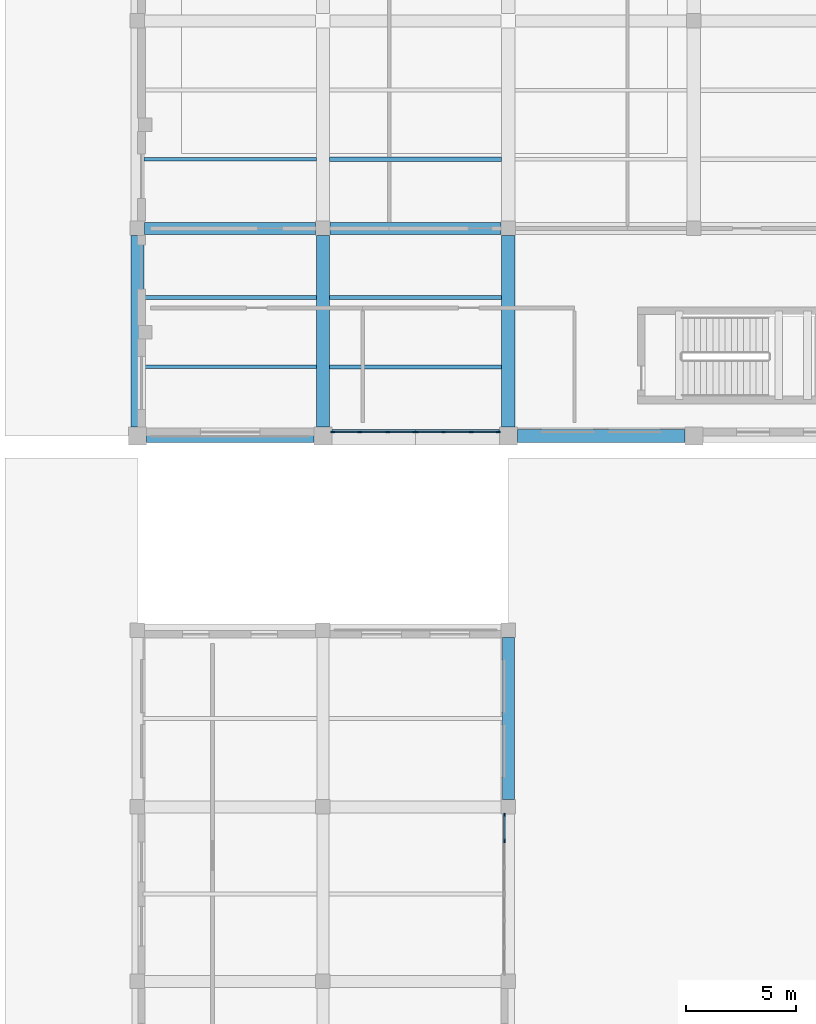
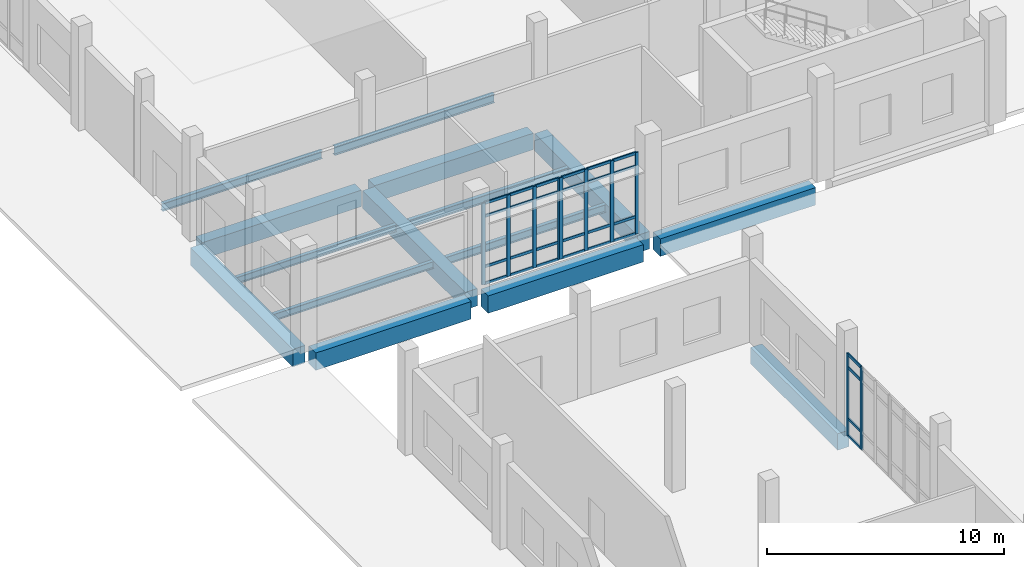
# One storey, part 19 of 79: 38 members, 15 beams, 3 elements without a shape of their own.
"""IFC4 building model written with IfcOpenShell, lengths in metres."""

from ifc_helpers import new_model, si_unit, direction, frame, origin, origin_2d, place, context, subcontext, project, spatial, rectangle, i_section, extrude, material, layer, layer_set, material_profile, profile_set, type_object, element, aggregate, save


model = new_model("IFC4")

# Units and contexts
model_context = context("Model", 3, precision=1e-05, world=origin(), true_north=direction((0.0, 1.0)))
body_context = subcontext(model_context, "Body", "Model", "MODEL_VIEW")
ifc_project = project(units=[si_unit("LENGTHUNIT", "METRE"), si_unit("AREAUNIT", "SQUARE_METRE"), si_unit("VOLUMEUNIT", "CUBIC_METRE"), si_unit("PLANEANGLEUNIT", "RADIAN"), si_unit("MASSUNIT", "GRAM", prefix="KILO")], contexts=[model_context])

# Site, building, storey
site_placement = place(None, origin())
site = spatial("IfcSite", under=ifc_project, at=site_placement, CompositionType="ELEMENT")
building_placement = place(site_placement, origin())
building = spatial("IfcBuilding", under=site, at=building_placement, Name="Kelarvand Opera House", CompositionType="ELEMENT")
storey_placement = place(building_placement, origin())
storey = spatial("IfcBuildingStorey", under=building, at=storey_placement, Name="L00", CompositionType="ELEMENT", Elevation=0.0)

# Curtain wall, members
ifc_material_1 = material(Name="Thermally broken aluminium and low-E glazing", Category="aluminium")
ifc_layer_1 = layer(ifc_material_1, 0.179931640625, Name="Thermally broken aluminium and low-E glazing", Category="aluminium")
ifc_layer_set_1 = layer_set([ifc_layer_1], Name="Thermally broken aluminium and low-E glazing")
curtain_wall_type_1 = type_object("IfcCurtainWallType", Name="Unitised Low-E Curtain Wall 3776x4200 Mod 1350 CWF-14", PredefinedType="USERDEFINED", material=ifc_layer_set_1)
curtain_wall_1_placement = place(storey_placement, origin())
curtain_wall_1 = element("IfcCurtainWall", 1, at=curtain_wall_1_placement, inside=storey, type_object=curtain_wall_type_1, Name="V3 L00 Curtain Wall CWF-14 (45)", ObjectType="UNITISED CURTAIN WALL", PredefinedType="USERDEFINED")
ifc_material_2 = material(Name="Thermally broken anodised aluminium", Category="aluminium")
ifc_material_profile_1 = material_profile(ifc_material_2, rectangle(XDim=0.06494140625, YDim=0.179931640625, at=origin_2d()), Name="ALU MULLION 65x180", Category="aluminium")
ifc_profile_set_1 = profile_set([ifc_material_profile_1], Name="Thermally broken anodised aluminium")
member_type_1 = type_object("IfcMemberType", Name="Curtain Wall Mullion 65x180 Aluminium", PredefinedType="MULLION", material=ifc_profile_set_1)
member_1_placement = place(storey_placement, frame((25.347412109375, 87.3798828125, 0.0), z_axis=(0.0, 0.0, 1.0), x_axis=(0.0, -1.0, 0.0)))
member_1 = element("IfcMember", 2, at=member_1_placement, type_object=member_type_1, Name="CWF-14 mullion 1", PredefinedType="MULLION", context=body_context, shape_type="SweptSolid", body=[
    extrude(rectangle(XDim=0.06494140625, YDim=0.179931640625, at=origin_2d()), origin(), (0.0, 0.0, 1.0), 4.199951171875),
])
member_2_placement = place(storey_placement, frame((24.121337890625, 87.3798828125, 0.0), z_axis=(0.0, 0.0, 1.0), x_axis=(0.0, -1.0, 0.0)))
member_2 = element("IfcMember", 3, at=member_2_placement, type_object=member_type_1, Name="CWF-14 mullion 2", PredefinedType="MULLION", context=body_context, shape_type="SweptSolid", body=[
    extrude(rectangle(XDim=0.06494140625, YDim=0.179931640625, at=origin_2d()), origin(), (0.0, 0.0, 1.0), 4.199951171875),
])
member_3_placement = place(storey_placement, frame((22.862548828125, 87.3798828125, 0.0), z_axis=(0.0, 0.0, 1.0), x_axis=(0.0, -1.0, 0.0)))
member_3 = element("IfcMember", 4, at=member_3_placement, type_object=member_type_1, Name="CWF-14 mullion 3", PredefinedType="MULLION", context=body_context, shape_type="SweptSolid", body=[
    extrude(rectangle(XDim=0.06494140625, YDim=0.179931640625, at=origin_2d()), origin(), (0.0, 0.0, 1.0), 4.199951171875),
])
member_4_placement = place(storey_placement, frame((21.636474609375, 87.3798828125, 0.0), z_axis=(0.0, 0.0, 1.0), x_axis=(0.0, -1.0, 0.0)))
member_4 = element("IfcMember", 5, at=member_4_placement, type_object=member_type_1, Name="CWF-14 mullion 4", PredefinedType="MULLION", context=body_context, shape_type="SweptSolid", body=[
    extrude(rectangle(XDim=0.06494140625, YDim=0.179931640625, at=origin_2d()), origin(), (0.0, 0.0, 1.0), 4.199951171875),
])

curtain_wall_2_placement = place(storey_placement, origin())
curtain_wall_2 = element("IfcCurtainWall", 6, at=curtain_wall_2_placement, inside=storey, type_object=curtain_wall_type_1, Name="V3 L00 Curtain Wall CWF-14 (46)", ObjectType="UNITISED CURTAIN WALL", PredefinedType="USERDEFINED")
member_5_placement = place(storey_placement, frame((21.5673828125, 87.3798828125, 0.0), z_axis=(0.0, 0.0, 1.0), x_axis=(0.0, -1.0, 0.0)))
member_5 = element("IfcMember", 7, at=member_5_placement, type_object=member_type_1, Name="CWF-14 mullion 1", PredefinedType="MULLION", context=body_context, shape_type="SweptSolid", body=[
    extrude(rectangle(XDim=0.06494140625, YDim=0.179931640625, at=origin_2d()), origin(), (0.0, 0.0, 1.0), 4.199951171875),
])
member_6_placement = place(storey_placement, frame((20.340087890625, 87.3798828125, 0.0), z_axis=(0.0, 0.0, 1.0), x_axis=(0.0, -1.0, 0.0)))
member_6 = element("IfcMember", 8, at=member_6_placement, type_object=member_type_1, Name="CWF-14 mullion 2", PredefinedType="MULLION", context=body_context, shape_type="SweptSolid", body=[
    extrude(rectangle(XDim=0.06494140625, YDim=0.179931640625, at=origin_2d()), origin(), (0.0, 0.0, 1.0), 4.199951171875),
])
member_7_placement = place(storey_placement, frame((19.080078125, 87.3798828125, 0.0), z_axis=(0.0, 0.0, 1.0), x_axis=(0.0, -1.0, 0.0)))
member_7 = element("IfcMember", 9, at=member_7_placement, type_object=member_type_1, Name="CWF-14 mullion 3", PredefinedType="MULLION", context=body_context, shape_type="SweptSolid", body=[
    extrude(rectangle(XDim=0.06494140625, YDim=0.179931640625, at=origin_2d()), origin(), (0.0, 0.0, 1.0), 4.199951171875),
])
member_8_placement = place(storey_placement, frame((17.8525390625, 87.3798828125, 0.0), z_axis=(0.0, 0.0, 1.0), x_axis=(0.0, -1.0, 0.0)))
member_8 = element("IfcMember", 10, at=member_8_placement, type_object=member_type_1, Name="CWF-14 mullion 4", PredefinedType="MULLION", context=body_context, shape_type="SweptSolid", body=[
    extrude(rectangle(XDim=0.06494140625, YDim=0.179931640625, at=origin_2d()), origin(), (0.0, 0.0, 1.0), 4.199951171875),
])

ifc_layer_2 = layer(ifc_material_1, 0.179931640625, Name="Thermally broken aluminium and low-E glazing", Category="aluminium")
ifc_layer_set_2 = layer_set([ifc_layer_2], Name="Thermally broken aluminium and low-E glazing")
curtain_wall_type_2 = type_object("IfcCurtainWallType", Name="Unitised Low-E Curtain Wall 3611x4250 Mod 1350 CWF-25", PredefinedType="USERDEFINED", material=ifc_layer_set_2)
curtain_wall_3_placement = place(storey_placement, origin())
curtain_wall_3 = element("IfcCurtainWall", 11, at=curtain_wall_3_placement, inside=storey, type_object=curtain_wall_type_2, Name="V4 L00 Curtain Wall CWF-25 (117)", ObjectType="UNITISED CURTAIN WALL", PredefinedType="USERDEFINED")
member_9_placement = place(storey_placement, frame((25.6201171875, 70.032470703125, 0.0), z_axis=(0.0, 0.0, 1.0), x_axis=(1.0, 0.0, 0.0)))
member_9 = element("IfcMember", 12, at=member_9_placement, type_object=member_type_1, Name="CWF-25 mullion 1", PredefinedType="MULLION", context=body_context, shape_type="SweptSolid", body=[
    extrude(rectangle(XDim=0.06494140625, YDim=0.179931640625, at=origin_2d()), origin(), (0.0, 0.0, 1.0), 4.25),
])
member_10_placement = place(storey_placement, frame((25.6201171875, 68.861328125, 0.0), z_axis=(0.0, 0.0, 1.0), x_axis=(1.0, 0.0, 0.0)))
member_10 = element("IfcMember", 13, at=member_10_placement, type_object=member_type_1, Name="CWF-25 mullion 2", PredefinedType="MULLION", context=body_context, shape_type="SweptSolid", body=[
    extrude(rectangle(XDim=0.06494140625, YDim=0.179931640625, at=origin_2d()), origin(), (0.0, 0.0, 1.0), 4.25),
])

# Member
ifc_material_profile_2 = material_profile(ifc_material_2, rectangle(XDim=0.06494140625, YDim=0.139892578125, at=origin_2d()), Name="ALU TRANSOM 65x140", Category="aluminium")
ifc_profile_set_2 = profile_set([ifc_material_profile_2], Name="Thermally broken anodised aluminium")
member_type_2 = type_object("IfcMemberType", Name="Curtain Wall Transom 65x140 Aluminium", PredefinedType="USERDEFINED", material=ifc_profile_set_2)
member_11_placement = place(storey_placement, frame((25.31494140625, 87.3798828125, 0.032470703125), z_axis=(-1.0, 0.0, 0.0), x_axis=(0.0, -1.0, 0.0)))
member_11 = element("IfcMember", 14, at=member_11_placement, type_object=member_type_2, Name="CWF-14 transom 1.1", ObjectType="TRANSOM", PredefinedType="USERDEFINED", context=body_context, shape_type="SweptSolid", body=[
    extrude(rectangle(XDim=0.06494140625, YDim=0.139892578125, at=origin_2d()), origin(), (0.0, 0.0, 1.0), 1.1611328125),
])

member_12_placement = place(storey_placement, frame((25.31494140625, 87.3798828125, 0.89990234375), z_axis=(-1.0, 0.0, 0.0), x_axis=(0.0, -1.0, 0.0)))
member_12 = element("IfcMember", 15, at=member_12_placement, type_object=member_type_2, Name="CWF-14 transom 1.2", ObjectType="TRANSOM", PredefinedType="USERDEFINED", context=body_context, shape_type="SweptSolid", body=[
    extrude(rectangle(XDim=0.06494140625, YDim=0.139892578125, at=origin_2d()), origin(), (0.0, 0.0, 1.0), 1.1611328125),
])

member_13_placement = place(storey_placement, frame((25.31494140625, 87.3798828125, 3.5), z_axis=(-1.0, 0.0, 0.0), x_axis=(0.0, -1.0, 0.0)))
member_13 = element("IfcMember", 16, at=member_13_placement, type_object=member_type_2, Name="CWF-14 transom 1.3", ObjectType="TRANSOM", PredefinedType="USERDEFINED", context=body_context, shape_type="SweptSolid", body=[
    extrude(rectangle(XDim=0.06494140625, YDim=0.139892578125, at=origin_2d()), origin(), (0.0, 0.0, 1.0), 1.1611328125),
])

member_14_placement = place(storey_placement, frame((25.31494140625, 87.3798828125, 4.16748046875), z_axis=(-1.0, 0.0, 0.0), x_axis=(0.0, -1.0, 0.0)))
member_14 = element("IfcMember", 17, at=member_14_placement, type_object=member_type_2, Name="CWF-14 transom 1.4", ObjectType="TRANSOM", PredefinedType="USERDEFINED", context=body_context, shape_type="SweptSolid", body=[
    extrude(rectangle(XDim=0.06494140625, YDim=0.139892578125, at=origin_2d()), origin(), (0.0, 0.0, 1.0), 1.1611328125),
])

member_15_placement = place(storey_placement, frame((24.0888671875, 87.3798828125, 0.032470703125), z_axis=(-1.0, 0.0, 0.0), x_axis=(0.0, -1.0, 0.0)))
member_15 = element("IfcMember", 18, at=member_15_placement, type_object=member_type_2, Name="CWF-14 transom 2.1", ObjectType="TRANSOM", PredefinedType="USERDEFINED", context=body_context, shape_type="SweptSolid", body=[
    extrude(rectangle(XDim=0.06494140625, YDim=0.139892578125, at=origin_2d()), origin(), (0.0, 0.0, 1.0), 1.193603515625),
])

member_16_placement = place(storey_placement, frame((24.0888671875, 87.3798828125, 0.89990234375), z_axis=(-1.0, 0.0, 0.0), x_axis=(0.0, -1.0, 0.0)))
member_16 = element("IfcMember", 19, at=member_16_placement, type_object=member_type_2, Name="CWF-14 transom 2.2", ObjectType="TRANSOM", PredefinedType="USERDEFINED", context=body_context, shape_type="SweptSolid", body=[
    extrude(rectangle(XDim=0.06494140625, YDim=0.139892578125, at=origin_2d()), origin(), (0.0, 0.0, 1.0), 1.193603515625),
])

member_17_placement = place(storey_placement, frame((24.0888671875, 87.3798828125, 3.5), z_axis=(-1.0, 0.0, 0.0), x_axis=(0.0, -1.0, 0.0)))
member_17 = element("IfcMember", 20, at=member_17_placement, type_object=member_type_2, Name="CWF-14 transom 2.3", ObjectType="TRANSOM", PredefinedType="USERDEFINED", context=body_context, shape_type="SweptSolid", body=[
    extrude(rectangle(XDim=0.06494140625, YDim=0.139892578125, at=origin_2d()), origin(), (0.0, 0.0, 1.0), 1.193603515625),
])

member_18_placement = place(storey_placement, frame((24.0888671875, 87.3798828125, 4.16748046875), z_axis=(-1.0, 0.0, 0.0), x_axis=(0.0, -1.0, 0.0)))
member_18 = element("IfcMember", 21, at=member_18_placement, type_object=member_type_2, Name="CWF-14 transom 2.4", ObjectType="TRANSOM", PredefinedType="USERDEFINED", context=body_context, shape_type="SweptSolid", body=[
    extrude(rectangle(XDim=0.06494140625, YDim=0.139892578125, at=origin_2d()), origin(), (0.0, 0.0, 1.0), 1.193603515625),
])

member_19_placement = place(storey_placement, frame((22.830078125, 87.3798828125, 0.032470703125), z_axis=(-1.0, 0.0, 0.0), x_axis=(0.0, -1.0, 0.0)))
member_19 = element("IfcMember", 22, at=member_19_placement, type_object=member_type_2, Name="CWF-14 transom 3.1", ObjectType="TRANSOM", PredefinedType="USERDEFINED", context=body_context, shape_type="SweptSolid", body=[
    extrude(rectangle(XDim=0.06494140625, YDim=0.139892578125, at=origin_2d()), origin(), (0.0, 0.0, 1.0), 1.1611328125),
])

member_20_placement = place(storey_placement, frame((22.830078125, 87.3798828125, 0.89990234375), z_axis=(-1.0, 0.0, 0.0), x_axis=(0.0, -1.0, 0.0)))
member_20 = element("IfcMember", 23, at=member_20_placement, type_object=member_type_2, Name="CWF-14 transom 3.2", ObjectType="TRANSOM", PredefinedType="USERDEFINED", context=body_context, shape_type="SweptSolid", body=[
    extrude(rectangle(XDim=0.06494140625, YDim=0.139892578125, at=origin_2d()), origin(), (0.0, 0.0, 1.0), 1.1611328125),
])

member_21_placement = place(storey_placement, frame((22.830078125, 87.3798828125, 3.5), z_axis=(-1.0, 0.0, 0.0), x_axis=(0.0, -1.0, 0.0)))
member_21 = element("IfcMember", 24, at=member_21_placement, type_object=member_type_2, Name="CWF-14 transom 3.3", ObjectType="TRANSOM", PredefinedType="USERDEFINED", context=body_context, shape_type="SweptSolid", body=[
    extrude(rectangle(XDim=0.06494140625, YDim=0.139892578125, at=origin_2d()), origin(), (0.0, 0.0, 1.0), 1.1611328125),
])

member_22_placement = place(storey_placement, frame((22.830078125, 87.3798828125, 4.16748046875), z_axis=(-1.0, 0.0, 0.0), x_axis=(0.0, -1.0, 0.0)))
member_22 = element("IfcMember", 25, at=member_22_placement, type_object=member_type_2, Name="CWF-14 transom 3.4", ObjectType="TRANSOM", PredefinedType="USERDEFINED", context=body_context, shape_type="SweptSolid", body=[
    extrude(rectangle(XDim=0.06494140625, YDim=0.139892578125, at=origin_2d()), origin(), (0.0, 0.0, 1.0), 1.1611328125),
])

aggregate(curtain_wall_1, [member_1, member_2, member_3, member_4, member_11, member_12, member_13, member_14, member_15, member_16, member_17, member_18, member_19, member_20, member_21, member_22])

member_23_placement = place(storey_placement, frame((21.534912109375, 87.3798828125, 0.032470703125), z_axis=(-1.0, 0.0, 0.0), x_axis=(0.0, -1.0, 0.0)))
member_23 = element("IfcMember", 26, at=member_23_placement, type_object=member_type_2, Name="CWF-14 transom 1.1", ObjectType="TRANSOM", PredefinedType="USERDEFINED", context=body_context, shape_type="SweptSolid", body=[
    extrude(rectangle(XDim=0.06494140625, YDim=0.139892578125, at=origin_2d()), origin(), (0.0, 0.0, 1.0), 1.162353515625),
])

member_24_placement = place(storey_placement, frame((21.534912109375, 87.3798828125, 0.89990234375), z_axis=(-1.0, 0.0, 0.0), x_axis=(0.0, -1.0, 0.0)))
member_24 = element("IfcMember", 27, at=member_24_placement, type_object=member_type_2, Name="CWF-14 transom 1.2", ObjectType="TRANSOM", PredefinedType="USERDEFINED", context=body_context, shape_type="SweptSolid", body=[
    extrude(rectangle(XDim=0.06494140625, YDim=0.139892578125, at=origin_2d()), origin(), (0.0, 0.0, 1.0), 1.162353515625),
])

member_25_placement = place(storey_placement, frame((21.534912109375, 87.3798828125, 3.5), z_axis=(-1.0, 0.0, 0.0), x_axis=(0.0, -1.0, 0.0)))
member_25 = element("IfcMember", 28, at=member_25_placement, type_object=member_type_2, Name="CWF-14 transom 1.3", ObjectType="TRANSOM", PredefinedType="USERDEFINED", context=body_context, shape_type="SweptSolid", body=[
    extrude(rectangle(XDim=0.06494140625, YDim=0.139892578125, at=origin_2d()), origin(), (0.0, 0.0, 1.0), 1.162353515625),
])

member_26_placement = place(storey_placement, frame((21.534912109375, 87.3798828125, 4.16748046875), z_axis=(-1.0, 0.0, 0.0), x_axis=(0.0, -1.0, 0.0)))
member_26 = element("IfcMember", 29, at=member_26_placement, type_object=member_type_2, Name="CWF-14 transom 1.4", ObjectType="TRANSOM", PredefinedType="USERDEFINED", context=body_context, shape_type="SweptSolid", body=[
    extrude(rectangle(XDim=0.06494140625, YDim=0.139892578125, at=origin_2d()), origin(), (0.0, 0.0, 1.0), 1.162353515625),
])

member_27_placement = place(storey_placement, frame((20.3076171875, 87.3798828125, 0.032470703125), z_axis=(-1.0, 0.0, 0.0), x_axis=(0.0, -1.0, 0.0)))
member_27 = element("IfcMember", 30, at=member_27_placement, type_object=member_type_2, Name="CWF-14 transom 2.1", ObjectType="TRANSOM", PredefinedType="USERDEFINED", context=body_context, shape_type="SweptSolid", body=[
    extrude(rectangle(XDim=0.06494140625, YDim=0.139892578125, at=origin_2d()), origin(), (0.0, 0.0, 1.0), 1.195068359375),
])

member_28_placement = place(storey_placement, frame((20.3076171875, 87.3798828125, 0.89990234375), z_axis=(-1.0, 0.0, 0.0), x_axis=(0.0, -1.0, 0.0)))
member_28 = element("IfcMember", 31, at=member_28_placement, type_object=member_type_2, Name="CWF-14 transom 2.2", ObjectType="TRANSOM", PredefinedType="USERDEFINED", context=body_context, shape_type="SweptSolid", body=[
    extrude(rectangle(XDim=0.06494140625, YDim=0.139892578125, at=origin_2d()), origin(), (0.0, 0.0, 1.0), 1.195068359375),
])

member_29_placement = place(storey_placement, frame((20.3076171875, 87.3798828125, 3.5), z_axis=(-1.0, 0.0, 0.0), x_axis=(0.0, -1.0, 0.0)))
member_29 = element("IfcMember", 32, at=member_29_placement, type_object=member_type_2, Name="CWF-14 transom 2.3", ObjectType="TRANSOM", PredefinedType="USERDEFINED", context=body_context, shape_type="SweptSolid", body=[
    extrude(rectangle(XDim=0.06494140625, YDim=0.139892578125, at=origin_2d()), origin(), (0.0, 0.0, 1.0), 1.195068359375),
])

member_30_placement = place(storey_placement, frame((20.3076171875, 87.3798828125, 4.16748046875), z_axis=(-1.0, 0.0, 0.0), x_axis=(0.0, -1.0, 0.0)))
member_30 = element("IfcMember", 33, at=member_30_placement, type_object=member_type_2, Name="CWF-14 transom 2.4", ObjectType="TRANSOM", PredefinedType="USERDEFINED", context=body_context, shape_type="SweptSolid", body=[
    extrude(rectangle(XDim=0.06494140625, YDim=0.139892578125, at=origin_2d()), origin(), (0.0, 0.0, 1.0), 1.195068359375),
])

member_31_placement = place(storey_placement, frame((19.047607421875, 87.3798828125, 0.032470703125), z_axis=(-1.0, 0.0, 0.0), x_axis=(0.0, -1.0, 0.0)))
member_31 = element("IfcMember", 34, at=member_31_placement, type_object=member_type_2, Name="CWF-14 transom 3.1", ObjectType="TRANSOM", PredefinedType="USERDEFINED", context=body_context, shape_type="SweptSolid", body=[
    extrude(rectangle(XDim=0.06494140625, YDim=0.139892578125, at=origin_2d()), origin(), (0.0, 0.0, 1.0), 1.16259765625),
])

member_32_placement = place(storey_placement, frame((19.047607421875, 87.3798828125, 0.89990234375), z_axis=(-1.0, 0.0, 0.0), x_axis=(0.0, -1.0, 0.0)))
member_32 = element("IfcMember", 35, at=member_32_placement, type_object=member_type_2, Name="CWF-14 transom 3.2", ObjectType="TRANSOM", PredefinedType="USERDEFINED", context=body_context, shape_type="SweptSolid", body=[
    extrude(rectangle(XDim=0.06494140625, YDim=0.139892578125, at=origin_2d()), origin(), (0.0, 0.0, 1.0), 1.16259765625),
])

member_33_placement = place(storey_placement, frame((19.047607421875, 87.3798828125, 3.5), z_axis=(-1.0, 0.0, 0.0), x_axis=(0.0, -1.0, 0.0)))
member_33 = element("IfcMember", 36, at=member_33_placement, type_object=member_type_2, Name="CWF-14 transom 3.3", ObjectType="TRANSOM", PredefinedType="USERDEFINED", context=body_context, shape_type="SweptSolid", body=[
    extrude(rectangle(XDim=0.06494140625, YDim=0.139892578125, at=origin_2d()), origin(), (0.0, 0.0, 1.0), 1.16259765625),
])

member_34_placement = place(storey_placement, frame((19.047607421875, 87.3798828125, 4.16748046875), z_axis=(-1.0, 0.0, 0.0), x_axis=(0.0, -1.0, 0.0)))
member_34 = element("IfcMember", 37, at=member_34_placement, type_object=member_type_2, Name="CWF-14 transom 3.4", ObjectType="TRANSOM", PredefinedType="USERDEFINED", context=body_context, shape_type="SweptSolid", body=[
    extrude(rectangle(XDim=0.06494140625, YDim=0.139892578125, at=origin_2d()), origin(), (0.0, 0.0, 1.0), 1.16259765625),
])

aggregate(curtain_wall_2, [member_5, member_6, member_7, member_8, member_23, member_24, member_25, member_26, member_27, member_28, member_29, member_30, member_31, member_32, member_33, member_34])

member_35_placement = place(storey_placement, frame((25.6201171875, 70.0, 0.032470703125), z_axis=(0.0, -1.0, 0.0), x_axis=(1.0, 0.0, 0.0)))
member_35 = element("IfcMember", 38, at=member_35_placement, type_object=member_type_2, Name="CWF-25 transom 1.1", ObjectType="TRANSOM", PredefinedType="USERDEFINED", context=body_context, shape_type="SweptSolid", body=[
    extrude(rectangle(XDim=0.06494140625, YDim=0.139892578125, at=origin_2d()), origin(), (0.0, 0.0, 1.0), 1.106201171875),
])

member_36_placement = place(storey_placement, frame((25.6201171875, 70.0, 0.89990234375), z_axis=(0.0, -1.0, 0.0), x_axis=(1.0, 0.0, 0.0)))
member_36 = element("IfcMember", 39, at=member_36_placement, type_object=member_type_2, Name="CWF-25 transom 1.2", ObjectType="TRANSOM", PredefinedType="USERDEFINED", context=body_context, shape_type="SweptSolid", body=[
    extrude(rectangle(XDim=0.06494140625, YDim=0.139892578125, at=origin_2d()), origin(), (0.0, 0.0, 1.0), 1.106201171875),
])

member_37_placement = place(storey_placement, frame((25.6201171875, 70.0, 3.550048828125), z_axis=(0.0, -1.0, 0.0), x_axis=(1.0, 0.0, 0.0)))
member_37 = element("IfcMember", 40, at=member_37_placement, type_object=member_type_2, Name="CWF-25 transom 1.3", ObjectType="TRANSOM", PredefinedType="USERDEFINED", context=body_context, shape_type="SweptSolid", body=[
    extrude(rectangle(XDim=0.06494140625, YDim=0.139892578125, at=origin_2d()), origin(), (0.0, 0.0, 1.0), 1.106201171875),
])

member_38_placement = place(storey_placement, frame((25.6201171875, 70.0, 4.217529296875), z_axis=(0.0, -1.0, 0.0), x_axis=(1.0, 0.0, 0.0)))
member_38 = element("IfcMember", 41, at=member_38_placement, type_object=member_type_2, Name="CWF-25 transom 1.4", ObjectType="TRANSOM", PredefinedType="USERDEFINED", context=body_context, shape_type="SweptSolid", body=[
    extrude(rectangle(XDim=0.06494140625, YDim=0.139892578125, at=origin_2d()), origin(), (0.0, 0.0, 1.0), 1.106201171875),
])

aggregate(curtain_wall_3, [member_9, member_10, member_35, member_36, member_37, member_38])

# Beams
ifc_material_3 = material(Name="Concrete C40/50", Category="concrete")
ifc_material_profile_3 = material_profile(ifc_material_3, rectangle(XDim=0.550048828125, YDim=0.85009765625, at=origin_2d()), Name="RC 550x850", Category="concrete")
ifc_profile_set_3 = profile_set([ifc_material_profile_3], Name="Concrete C40/50")
beam_type_1 = type_object("IfcBeamType", Name="Structural Beam RC 550x850 BM-RC550x850", PredefinedType="BEAM", material=ifc_profile_set_3)
for number, where, z_axis, x_axis, name in (
    (42, (9.324951171875, 96.60009765625, -0.72509765625), (1.0, 0.0, 0.0), (0.0, 1.0, 0.0), "V3 L00 Beam BM-RC550x850"),
    (43, (17.72509765625, 96.60009765625, -0.72509765625), (1.0, 0.0, 0.0), (0.0, 1.0, 0.0), "V3 L00 Beam BM-RC550x850"),
):
    element("IfcBeam", number, at=place(storey_placement, frame(where, z_axis=z_axis, x_axis=x_axis)), inside=storey, type_object=beam_type_1, Name=name, PredefinedType="BEAM", context=body_context, shape_type="SweptSolid", body=[
        extrude(rectangle(XDim=0.550048828125, YDim=0.85009765625, at=origin_2d()), origin(), (0.0, 0.0, 1.0), 7.75),
    ])
beam_1_placement = place(storey_placement, frame((25.800048828125, 70.72509765625, -0.72509765625), z_axis=(0.0, 1.0, 0.0), x_axis=(-1.0, 0.0, 0.0)))
element("IfcBeam", 44, at=beam_1_placement, inside=storey, type_object=beam_type_1, Name="V4 L00 Beam BM-RC550x850", PredefinedType="BEAM", context=body_context, shape_type="SweptSolid", body=[
    extrude(rectangle(XDim=0.550048828125, YDim=0.85009765625, at=origin_2d()), origin(), (0.0, 0.0, 1.0), 7.349853515625),
])
ifc_material_profile_4 = material_profile(ifc_material_3, rectangle(XDim=0.60009765625, YDim=0.89990234375, at=origin_2d()), Name="RC 600x900", Category="concrete")
ifc_profile_set_4 = profile_set([ifc_material_profile_4], Name="Concrete C40/50")
beam_type_2 = type_object("IfcBeamType", Name="Structural Beam RC 600x900 BM-RC600x900", PredefinedType="BEAM", material=ifc_profile_set_4)
for number, where, z_axis, x_axis, name in (
    (45, (17.39990234375, 87.610107421875, -0.75), (0.0, 1.0, 0.0), (-1.0, 0.0, 0.0), "V3 L00 Beam BM-RC600x900"),
    (46, (25.800048828125, 87.610107421875, -0.75), (0.0, 1.0, 0.0), (-1.0, 0.0, 0.0), "V3 L00 Beam BM-RC600x900"),
):
    element("IfcBeam", number, at=place(storey_placement, frame(where, z_axis=z_axis, x_axis=x_axis)), inside=storey, type_object=beam_type_2, Name=name, PredefinedType="BEAM", context=body_context, shape_type="SweptSolid", body=[
        extrude(rectangle(XDim=0.60009765625, YDim=0.89990234375, at=origin_2d()), origin(), (0.0, 0.0, 1.0), 8.664794921875),
    ])
ifc_material_4 = material(Name="Steel S355", Category="steel")
ifc_material_profile_5 = material_profile(ifc_material_4, i_section(OverallWidth=0.169921875, OverallDepth=0.360107421875, WebThickness=0.008056640625, FlangeThickness=0.0126953125, at=origin_2d()), Name="IPE 360", Category="steel")
ifc_profile_set_5 = profile_set([ifc_material_profile_5], Name="Steel S355")
beam_type_3 = type_object("IfcBeamType", Name="Structural Joist IPE 360 JS-IPE360", PredefinedType="JOIST", material=ifc_profile_set_5)
for number, where, z_axis, x_axis, name in (
    (47, (9.300048828125, 90.333251953125, -0.47998046875), (1.0, 0.0, 0.0), (0.0, 1.0, 0.0), "V3 L00 Beam JS-IPE360"),
    (48, (9.300048828125, 93.466796875, -0.47998046875), (1.0, 0.0, 0.0), (0.0, 1.0, 0.0), "V3 L00 Beam JS-IPE360"),
):
    element("IfcBeam", number, at=place(storey_placement, frame(where, z_axis=z_axis, x_axis=x_axis)), inside=storey, type_object=beam_type_3, Name=name, PredefinedType="JOIST", context=body_context, shape_type="SweptSolid", body=[
        extrude(i_section(OverallWidth=0.169921875, OverallDepth=0.360107421875, WebThickness=0.008056640625, FlangeThickness=0.0126953125, at=origin_2d()), origin(), (0.0, 0.0, 1.0), 7.800048828125),
    ])
ifc_material_profile_6 = material_profile(ifc_material_4, i_section(OverallWidth=0.179931640625, OverallDepth=0.39990234375, WebThickness=0.008544921875, FlangeThickness=0.013427734375, at=origin_2d()), Name="IPE 400", Category="steel")
ifc_profile_set_6 = profile_set([ifc_material_profile_6], Name="Steel S355")
beam_type_4 = type_object("IfcBeamType", Name="Structural Joist IPE 400 JS-IPE400", PredefinedType="JOIST", material=ifc_profile_set_6)
for number, where, z_axis, x_axis, name in (
    (49, (9.300048828125, 99.7333984375, -0.5), (1.0, 0.0, 0.0), (0.0, 1.0, 0.0), "V3 L00 Beam JS-IPE400"),
    (50, (17.699951171875, 90.333251953125, -0.5), (1.0, 0.0, 0.0), (0.0, 1.0, 0.0), "V3 L00 Beam JS-IPE400"),
    (51, (17.699951171875, 93.466796875, -0.5), (1.0, 0.0, 0.0), (0.0, 1.0, 0.0), "V3 L00 Beam JS-IPE400"),
):
    element("IfcBeam", number, at=place(storey_placement, frame(where, z_axis=z_axis, x_axis=x_axis)), inside=storey, type_object=beam_type_4, Name=name, PredefinedType="JOIST", context=body_context, shape_type="SweptSolid", body=[
        extrude(i_section(OverallWidth=0.179931640625, OverallDepth=0.39990234375, WebThickness=0.008544921875, FlangeThickness=0.013427734375, at=origin_2d()), origin(), (0.0, 0.0, 1.0), 7.800048828125),
    ])
ifc_material_profile_7 = material_profile(ifc_material_4, i_section(OverallWidth=0.18994140625, OverallDepth=0.449951171875, WebThickness=0.009521484375, FlangeThickness=0.0146484375, at=origin_2d()), Name="IPE 450", Category="steel")
ifc_profile_set_7 = profile_set([ifc_material_profile_7], Name="Steel S355")
beam_type_5 = type_object("IfcBeamType", Name="Structural Joist IPE 450 JS-IPE450", PredefinedType="JOIST", material=ifc_profile_set_7)
beam_2_placement = place(storey_placement, frame((17.699951171875, 99.7333984375, -0.52490234375), z_axis=(1.0, 0.0, 0.0), x_axis=(0.0, 1.0, 0.0)))
element("IfcBeam", 52, at=beam_2_placement, inside=storey, type_object=beam_type_5, Name="V3 L00 Beam JS-IPE450", PredefinedType="JOIST", context=body_context, shape_type="SweptSolid", body=[
    extrude(i_section(OverallWidth=0.18994140625, OverallDepth=0.449951171875, WebThickness=0.009521484375, FlangeThickness=0.0146484375, at=origin_2d()), origin(), (0.0, 0.0, 1.0), 7.800048828125),
])
ifc_material_profile_8 = material_profile(ifc_material_3, rectangle(XDim=0.60009765625, YDim=0.89990234375, at=origin_2d()), Name="RC 600x900", Category="concrete")
ifc_profile_set_8 = profile_set([ifc_material_profile_8], Name="Concrete C40/50")
beam_type_6 = type_object("IfcBeamType", Name="Structural Spandrel RC 600x900 SP-RC600x900E", PredefinedType="SPANDREL", material=ifc_profile_set_8)
beam_3_placement = place(storey_placement, frame((9.409912109375, 87.199951171875, -0.75), z_axis=(1.0, 0.0, 0.0), x_axis=(0.0, 1.0, 0.0)))
element("IfcBeam", 53, at=beam_3_placement, inside=storey, type_object=beam_type_6, Name="V3 L00 Beam SP-RC600x900E", PredefinedType="SPANDREL", context=body_context, shape_type="SweptSolid", body=[
    extrude(rectangle(XDim=0.60009765625, YDim=0.89990234375, at=origin_2d()), origin(), (0.0, 0.0, 1.0), 7.580078125),
])
beam_4_placement = place(storey_placement, frame((17.81005859375, 87.199951171875, -0.75), z_axis=(1.0, 0.0, 0.0), x_axis=(0.0, 1.0, 0.0)))
element("IfcBeam", 54, at=beam_4_placement, inside=storey, type_object=beam_type_6, Name="V3 L00 Beam SP-RC600x900E", PredefinedType="SPANDREL", context=body_context, shape_type="SweptSolid", body=[
    extrude(rectangle(XDim=0.60009765625, YDim=0.89990234375, at=origin_2d()), origin(), (0.0, 0.0, 1.0), 7.579833984375),
])
beam_5_placement = place(storey_placement, frame((26.2099609375, 87.199951171875, -0.75), z_axis=(1.0, 0.0, 0.0), x_axis=(0.0, 1.0, 0.0)))
element("IfcBeam", 55, at=beam_5_placement, inside=storey, type_object=beam_type_6, Name="V3 L00 Beam SP-RC600x900E", PredefinedType="SPANDREL", context=body_context, shape_type="SweptSolid", body=[
    extrude(rectangle(XDim=0.60009765625, YDim=0.89990234375, at=origin_2d()), origin(), (0.0, 0.0, 1.0), 7.580078125),
])
beam_6_placement = place(storey_placement, frame((9.0, 87.610107421875, -0.75), z_axis=(0.0, 1.0, 0.0), x_axis=(-1.0, 0.0, 0.0)))
element("IfcBeam", 56, at=beam_6_placement, inside=storey, type_object=beam_type_6, Name="V3 L00 Beam SP-RC600x900E", PredefinedType="SPANDREL", context=body_context, shape_type="SweptSolid", body=[
    extrude(rectangle(XDim=0.60009765625, YDim=0.89990234375, at=origin_2d()), origin(), (0.0, 0.0, 1.0), 8.664794921875),
])

save(model, "model.ifc")
